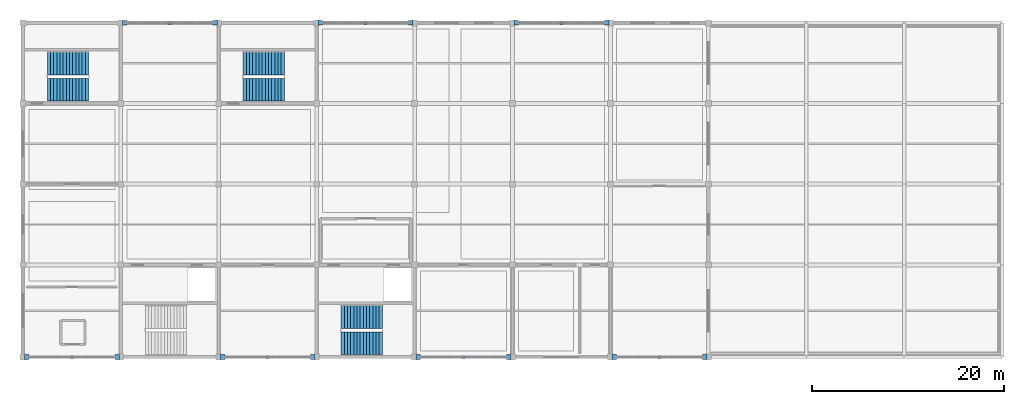
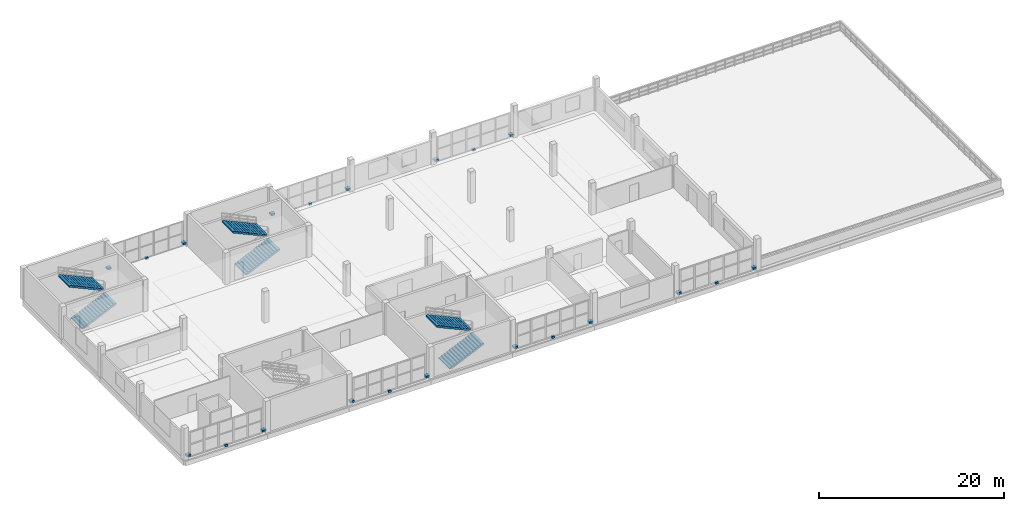
# One storey, part 22 of 24: 21 discrete accessories, 6 stair flights, 3 elements without a shape of their own.
"""IFC4 building model written with IfcOpenShell, lengths in metres."""

from ifc_helpers import new_model, si_unit, direction, frame, origin, origin_2d, place, context, subcontext, project, spatial, polyline, rectangle, outline, extrude, material, type_object, element, aggregate, save


model = new_model("IFC4")

# Units and contexts
model_context = context("Model", 3, precision=1e-05, world=origin(), true_north=direction((0.0, 1.0)))
body_context = subcontext(model_context, "Body", "Model", "MODEL_VIEW")
ifc_project = project(units=[si_unit("LENGTHUNIT", "METRE"), si_unit("AREAUNIT", "SQUARE_METRE"), si_unit("VOLUMEUNIT", "CUBIC_METRE"), si_unit("PLANEANGLEUNIT", "RADIAN"), si_unit("MASSUNIT", "GRAM", prefix="KILO")], contexts=[model_context])

# Site, building, storey
site_placement = place(None, origin())
site = spatial("IfcSite", under=ifc_project, at=site_placement, CompositionType="ELEMENT")
building_placement = place(site_placement, origin())
building = spatial("IfcBuilding", under=site, at=building_placement, Name="Brelvane Convention Centre", CompositionType="ELEMENT")
storey_placement = place(building_placement, frame((0.0, 0.0, 19.199951171875)))
storey = spatial("IfcBuildingStorey", under=building, at=storey_placement, Name="L04", CompositionType="ELEMENT", Elevation=19.199951171875)

# Stair, stair flights
ifc_material_1 = material(Name="Concrete M40", Category="concrete")
stair_type = type_object("IfcStairType", Name="Exit Stair ST-CORE", PredefinedType="HALF_TURN_STAIR", material=ifc_material_1)
stair_1_placement = place(storey_placement, origin())
stair_1 = element("IfcStair", 1, at=stair_1_placement, inside=storey, type_object=stair_type, Name="Exit Stair ST-07 (L04 to L05)", PredefinedType="HALF_TURN_STAIR")
ifc_material_2 = material(Name="Concrete M40", Category="concrete")
stair_flight_type = type_object("IfcStairFlightType", Name="Stair Flight SF-C14", PredefinedType="STRAIGHT", material=ifc_material_2)
stair_flight_1_placement = place(storey_placement, frame((33.14990234375, 110.6298828125, 0.0), z_axis=(0.0, 0.0, 1.0), x_axis=(1.0, 0.0, 0.0)))
stair_flight_1 = element("IfcStairFlight", 2, at=stair_flight_1_placement, type_object=stair_flight_type, Name="Stair ST-07 L04 Flight 1", NumberOfRisers=14, NumberOfTreads=13, PredefinedType="STRAIGHT", RiserHeight=0.15, TreadLength=0.33, context=body_context, shape_type="SweptSolid", body=[
    extrude(outline(polyline([(0.0, 0.0), (0.0, 0.14990234375), (0.330078125, 0.14990234375), (0.330078125, 0.300048828125), (0.659912109375, 0.300048828125), (0.659912109375, 0.449951171875), (0.989990234375, 0.449951171875), (0.989990234375, 0.60009765625), (1.320068359375, 0.60009765625), (1.320068359375, 0.75), (1.64990234375, 0.75), (1.64990234375, 0.89990234375), (1.97998046875, 0.89990234375), (1.97998046875, 1.050048828125), (2.31005859375, 1.050048828125), (2.31005859375, 1.199951171875), (2.639892578125, 1.199951171875), (2.639892578125, 1.35009765625), (2.969970703125, 1.35009765625), (2.969970703125, 1.5), (3.300048828125, 1.5), (3.300048828125, 1.64990234375), (3.6298828125, 1.64990234375), (3.6298828125, 1.800048828125), (3.9599609375, 1.800048828125), (3.9599609375, 1.949951171875), (4.2900390625, 1.949951171875), (4.2900390625, 2.10009765625), (4.2900390625, 1.75244140625), (0.434814453125, 0.0), (0.0, 0.0)])), frame((0.0, 1.18994140625, 0.0), z_axis=(0.0, -1.0, 0.0), x_axis=(1.0, 0.0, 0.0)), (0.0, 0.0, 1.0), 2.3798828125),
])
stair_flight_2_placement = place(storey_placement, frame((37.43994140625, 113.3701171875, 2.10009765625), z_axis=(0.0, 0.0, 1.0), x_axis=(-1.0, 0.0, 0.0)))
stair_flight_2 = element("IfcStairFlight", 3, at=stair_flight_2_placement, type_object=stair_flight_type, Name="Stair ST-07 L04 Flight 2", NumberOfRisers=14, NumberOfTreads=13, PredefinedType="STRAIGHT", RiserHeight=0.15, TreadLength=0.33, context=body_context, shape_type="SweptSolid", body=[
    extrude(outline(polyline([(0.0, 0.0), (0.0, 0.14990234375), (0.330078125, 0.14990234375), (0.330078125, 0.300048828125), (0.659912109375, 0.300048828125), (0.659912109375, 0.449951171875), (0.989990234375, 0.449951171875), (0.989990234375, 0.60009765625), (1.320068359375, 0.60009765625), (1.320068359375, 0.75), (1.64990234375, 0.75), (1.64990234375, 0.89990234375), (1.97998046875, 0.89990234375), (1.97998046875, 1.050048828125), (2.31005859375, 1.050048828125), (2.31005859375, 1.199951171875), (2.639892578125, 1.199951171875), (2.639892578125, 1.35009765625), (2.969970703125, 1.35009765625), (2.969970703125, 1.5), (3.300048828125, 1.5), (3.300048828125, 1.64990234375), (3.6298828125, 1.64990234375), (3.6298828125, 1.800048828125), (3.9599609375, 1.800048828125), (3.9599609375, 1.949951171875), (4.2900390625, 1.949951171875), (4.2900390625, 2.10009765625), (4.2900390625, 1.75244140625), (0.434814453125, 0.0), (0.0, 0.0)])), frame((0.0, 1.18994140625, 0.0), z_axis=(0.0, -1.0, 0.0), x_axis=(1.0, 0.0, 0.0)), (0.0, 0.0, 1.0), 2.3798828125),
])
aggregate(stair_1, [stair_flight_1, stair_flight_2])

stair_2_placement = place(storey_placement, origin())
stair_2 = element("IfcStair", 4, at=stair_2_placement, inside=storey, type_object=stair_type, Name="Exit Stair ST-13 (L04 to L05)", PredefinedType="HALF_TURN_STAIR")
stair_flight_3_placement = place(storey_placement, frame((22.949951171875, 137.030029296875, 0.0), z_axis=(0.0, 0.0, 1.0), x_axis=(1.0, 0.0, 0.0)))
stair_flight_3 = element("IfcStairFlight", 5, at=stair_flight_3_placement, type_object=stair_flight_type, Name="Stair ST-13 L04 Flight 1", NumberOfRisers=14, NumberOfTreads=13, PredefinedType="STRAIGHT", RiserHeight=0.15, TreadLength=0.33, context=body_context, shape_type="SweptSolid", body=[
    extrude(outline(polyline([(0.0, 0.0), (0.0, 0.14990234375), (0.330078125, 0.14990234375), (0.330078125, 0.300048828125), (0.659912109375, 0.300048828125), (0.659912109375, 0.449951171875), (0.989990234375, 0.449951171875), (0.989990234375, 0.60009765625), (1.320068359375, 0.60009765625), (1.320068359375, 0.75), (1.64990234375, 0.75), (1.64990234375, 0.89990234375), (1.97998046875, 0.89990234375), (1.97998046875, 1.050048828125), (2.31005859375, 1.050048828125), (2.31005859375, 1.199951171875), (2.639892578125, 1.199951171875), (2.639892578125, 1.35009765625), (2.969970703125, 1.35009765625), (2.969970703125, 1.5), (3.300048828125, 1.5), (3.300048828125, 1.64990234375), (3.6298828125, 1.64990234375), (3.6298828125, 1.800048828125), (3.9599609375, 1.800048828125), (3.9599609375, 1.949951171875), (4.2900390625, 1.949951171875), (4.2900390625, 2.10009765625), (4.2900390625, 1.75244140625), (0.434814453125, 0.0), (0.0, 0.0)])), frame((0.0, 1.18994140625, 0.0), z_axis=(0.0, -1.0, 0.0), x_axis=(1.0, 0.0, 0.0)), (0.0, 0.0, 1.0), 2.3798828125),
])
stair_flight_4_placement = place(storey_placement, frame((27.239990234375, 139.77001953125, 2.10009765625), z_axis=(0.0, 0.0, 1.0), x_axis=(-1.0, 0.0, 0.0)))
stair_flight_4 = element("IfcStairFlight", 6, at=stair_flight_4_placement, type_object=stair_flight_type, Name="Stair ST-13 L04 Flight 2", NumberOfRisers=14, NumberOfTreads=13, PredefinedType="STRAIGHT", RiserHeight=0.15, TreadLength=0.33, context=body_context, shape_type="SweptSolid", body=[
    extrude(outline(polyline([(0.0, 0.0), (0.0, 0.14990234375), (0.330078125, 0.14990234375), (0.330078125, 0.300048828125), (0.659912109375, 0.300048828125), (0.659912109375, 0.449951171875), (0.989990234375, 0.449951171875), (0.989990234375, 0.60009765625), (1.320068359375, 0.60009765625), (1.320068359375, 0.75), (1.64990234375, 0.75), (1.64990234375, 0.89990234375), (1.97998046875, 0.89990234375), (1.97998046875, 1.050048828125), (2.31005859375, 1.050048828125), (2.31005859375, 1.199951171875), (2.639892578125, 1.199951171875), (2.639892578125, 1.35009765625), (2.969970703125, 1.35009765625), (2.969970703125, 1.5), (3.300048828125, 1.5), (3.300048828125, 1.64990234375), (3.6298828125, 1.64990234375), (3.6298828125, 1.800048828125), (3.9599609375, 1.800048828125), (3.9599609375, 1.949951171875), (4.2900390625, 1.949951171875), (4.2900390625, 2.10009765625), (4.2900390625, 1.75244140625), (0.434814453125, 0.0), (0.0, 0.0)])), frame((0.0, 1.18994140625, 0.0), z_axis=(0.0, -1.0, 0.0), x_axis=(1.0, 0.0, 0.0)), (0.0, 0.0, 1.0), 2.3798828125),
])
aggregate(stair_2, [stair_flight_3, stair_flight_4])

stair_3_placement = place(storey_placement, origin())
stair_3 = element("IfcStair", 7, at=stair_3_placement, inside=storey, type_object=stair_type, Name="Exit Stair ST-17 (L04 to L05)", PredefinedType="HALF_TURN_STAIR")
stair_flight_5_placement = place(storey_placement, frame((2.550048828125, 137.030029296875, 0.0), z_axis=(0.0, 0.0, 1.0), x_axis=(1.0, 0.0, 0.0)))
stair_flight_5 = element("IfcStairFlight", 8, at=stair_flight_5_placement, type_object=stair_flight_type, Name="Stair ST-17 L04 Flight 1", NumberOfRisers=14, NumberOfTreads=13, PredefinedType="STRAIGHT", RiserHeight=0.15, TreadLength=0.33, context=body_context, shape_type="SweptSolid", body=[
    extrude(outline(polyline([(0.0, 0.0), (0.0, 0.14990234375), (0.330078125, 0.14990234375), (0.330078125, 0.300048828125), (0.659912109375, 0.300048828125), (0.659912109375, 0.449951171875), (0.989990234375, 0.449951171875), (0.989990234375, 0.60009765625), (1.320068359375, 0.60009765625), (1.320068359375, 0.75), (1.64990234375, 0.75), (1.64990234375, 0.89990234375), (1.97998046875, 0.89990234375), (1.97998046875, 1.050048828125), (2.31005859375, 1.050048828125), (2.31005859375, 1.199951171875), (2.639892578125, 1.199951171875), (2.639892578125, 1.35009765625), (2.969970703125, 1.35009765625), (2.969970703125, 1.5), (3.300048828125, 1.5), (3.300048828125, 1.64990234375), (3.6298828125, 1.64990234375), (3.6298828125, 1.800048828125), (3.9599609375, 1.800048828125), (3.9599609375, 1.949951171875), (4.2900390625, 1.949951171875), (4.2900390625, 2.10009765625), (4.2900390625, 1.75244140625), (0.434814453125, 0.0), (0.0, 0.0)])), frame((0.0, 1.18994140625, 0.0), z_axis=(0.0, -1.0, 0.0), x_axis=(1.0, 0.0, 0.0)), (0.0, 0.0, 1.0), 2.3798828125),
])
stair_flight_6_placement = place(storey_placement, frame((6.840087890625, 139.77001953125, 2.10009765625), z_axis=(0.0, 0.0, 1.0), x_axis=(-1.0, 0.0, 0.0)))
stair_flight_6 = element("IfcStairFlight", 9, at=stair_flight_6_placement, type_object=stair_flight_type, Name="Stair ST-17 L04 Flight 2", NumberOfRisers=14, NumberOfTreads=13, PredefinedType="STRAIGHT", RiserHeight=0.15, TreadLength=0.33, context=body_context, shape_type="SweptSolid", body=[
    extrude(outline(polyline([(0.0, 0.0), (0.0, 0.14990234375), (0.330078125, 0.14990234375), (0.330078125, 0.300048828125), (0.659912109375, 0.300048828125), (0.659912109375, 0.449951171875), (0.989990234375, 0.449951171875), (0.989990234375, 0.60009765625), (1.320068359375, 0.60009765625), (1.320068359375, 0.75), (1.64990234375, 0.75), (1.64990234375, 0.89990234375), (1.97998046875, 0.89990234375), (1.97998046875, 1.050048828125), (2.31005859375, 1.050048828125), (2.31005859375, 1.199951171875), (2.639892578125, 1.199951171875), (2.639892578125, 1.35009765625), (2.969970703125, 1.35009765625), (2.969970703125, 1.5), (3.300048828125, 1.5), (3.300048828125, 1.64990234375), (3.6298828125, 1.64990234375), (3.6298828125, 1.800048828125), (3.9599609375, 1.800048828125), (3.9599609375, 1.949951171875), (4.2900390625, 1.949951171875), (4.2900390625, 2.10009765625), (4.2900390625, 1.75244140625), (0.434814453125, 0.0), (0.0, 0.0)])), frame((0.0, 1.18994140625, 0.0), z_axis=(0.0, -1.0, 0.0), x_axis=(1.0, 0.0, 0.0)), (0.0, 0.0, 1.0), 2.3798828125),
])
aggregate(stair_3, [stair_flight_5, stair_flight_6])

# Discrete accessories
ifc_material_3 = material(Name="Steel E350 (350 MPa)", Category="steel")
discrete_accessory_type = type_object("IfcDiscreteAccessoryType", Name="Facade Outrigger Bracket BRK-02", PredefinedType="BRACKET", material=ifc_material_3)
for number, where, z_axis, x_axis, name in (
    (10, (0.389892578125, 109.199951171875, 0.22998046875), (0.0, 0.0, 1.0), (1.0, 0.0, 0.0), "Curtain Wall Anchor Bracket L04-V4S-01-L"),
    (11, (9.81005859375, 109.199951171875, 0.22998046875), (0.0, 0.0, 1.0), (1.0, 0.0, 0.0), "Curtain Wall Anchor Bracket L04-V4S-01-R"),
):
    element("IfcDiscreteAccessory", number, at=place(storey_placement, frame(where, z_axis=z_axis, x_axis=x_axis)), inside=storey, type_object=discrete_accessory_type, Name=name, PredefinedType="BRACKET", context=body_context, shape_type="SweptSolid", body=[
        extrude(rectangle(XDim=0.47998046875, YDim=0.47998046875, at=origin_2d()), origin(), (0.0, 0.0, 1.0), 0.239990234375),
    ])
discrete_accessory_1_placement = place(storey_placement, frame((5.10009765625, 109.199951171875, -0.14013671875), z_axis=(0.0, 0.0, 1.0), x_axis=(1.0, 0.0, 0.0)))
element("IfcDiscreteAccessory", 12, at=discrete_accessory_1_placement, inside=storey, type_object=discrete_accessory_type, Name="Curtain Wall Anchor Bracket L04-V4S-01-B", PredefinedType="BRACKET", context=body_context, shape_type="SweptSolid", body=[
    extrude(rectangle(XDim=0.320068359375, YDim=0.320068359375, at=origin_2d()), origin(), (0.0, 0.0, 1.0), 0.280029296875),
])
for number, where, z_axis, x_axis, name in (
    (13, (10.590087890625, 144.0, 0.22998046875), (0.0, 0.0, 1.0), (1.0, 0.0, 0.0), "Curtain Wall Anchor Bracket L04-V4N-02-L"),
    (14, (20.010009765625, 144.0, 0.22998046875), (0.0, 0.0, 1.0), (1.0, 0.0, 0.0), "Curtain Wall Anchor Bracket L04-V4N-02-R"),
):
    element("IfcDiscreteAccessory", number, at=place(storey_placement, frame(where, z_axis=z_axis, x_axis=x_axis)), inside=storey, type_object=discrete_accessory_type, Name=name, PredefinedType="BRACKET", context=body_context, shape_type="SweptSolid", body=[
        extrude(rectangle(XDim=0.47998046875, YDim=0.47998046875, at=origin_2d()), origin(), (0.0, 0.0, 1.0), 0.239990234375),
    ])
discrete_accessory_2_placement = place(storey_placement, frame((15.300048828125, 144.0, -0.14013671875), z_axis=(0.0, 0.0, 1.0), x_axis=(1.0, 0.0, 0.0)))
element("IfcDiscreteAccessory", 15, at=discrete_accessory_2_placement, inside=storey, type_object=discrete_accessory_type, Name="Curtain Wall Anchor Bracket L04-V4N-02-B", PredefinedType="BRACKET", context=body_context, shape_type="SweptSolid", body=[
    extrude(rectangle(XDim=0.320068359375, YDim=0.320068359375, at=origin_2d()), origin(), (0.0, 0.0, 1.0), 0.280029296875),
])
for number, where, z_axis, x_axis, name in (
    (16, (20.7900390625, 109.199951171875, 0.22998046875), (0.0, 0.0, 1.0), (1.0, 0.0, 0.0), "Curtain Wall Anchor Bracket L04-V4S-03-L"),
    (17, (30.2099609375, 109.199951171875, 0.22998046875), (0.0, 0.0, 1.0), (1.0, 0.0, 0.0), "Curtain Wall Anchor Bracket L04-V4S-03-R"),
):
    element("IfcDiscreteAccessory", number, at=place(storey_placement, frame(where, z_axis=z_axis, x_axis=x_axis)), inside=storey, type_object=discrete_accessory_type, Name=name, PredefinedType="BRACKET", context=body_context, shape_type="SweptSolid", body=[
        extrude(rectangle(XDim=0.47998046875, YDim=0.47998046875, at=origin_2d()), origin(), (0.0, 0.0, 1.0), 0.239990234375),
    ])
discrete_accessory_3_placement = place(storey_placement, frame((25.5, 109.199951171875, -0.14013671875), z_axis=(0.0, 0.0, 1.0), x_axis=(1.0, 0.0, 0.0)))
element("IfcDiscreteAccessory", 18, at=discrete_accessory_3_placement, inside=storey, type_object=discrete_accessory_type, Name="Curtain Wall Anchor Bracket L04-V4S-03-B", PredefinedType="BRACKET", context=body_context, shape_type="SweptSolid", body=[
    extrude(rectangle(XDim=0.320068359375, YDim=0.320068359375, at=origin_2d()), origin(), (0.0, 0.0, 1.0), 0.280029296875),
])
for number, where, z_axis, x_axis, name in (
    (19, (30.989990234375, 144.0, 0.22998046875), (0.0, 0.0, 1.0), (1.0, 0.0, 0.0), "Curtain Wall Anchor Bracket L04-V4N-04-L"),
    (20, (40.409912109375, 144.0, 0.22998046875), (0.0, 0.0, 1.0), (1.0, 0.0, 0.0), "Curtain Wall Anchor Bracket L04-V4N-04-R"),
):
    element("IfcDiscreteAccessory", number, at=place(storey_placement, frame(where, z_axis=z_axis, x_axis=x_axis)), inside=storey, type_object=discrete_accessory_type, Name=name, PredefinedType="BRACKET", context=body_context, shape_type="SweptSolid", body=[
        extrude(rectangle(XDim=0.47998046875, YDim=0.47998046875, at=origin_2d()), origin(), (0.0, 0.0, 1.0), 0.239990234375),
    ])
discrete_accessory_4_placement = place(storey_placement, frame((35.699951171875, 144.0, -0.14013671875), z_axis=(0.0, 0.0, 1.0), x_axis=(1.0, 0.0, 0.0)))
element("IfcDiscreteAccessory", 21, at=discrete_accessory_4_placement, inside=storey, type_object=discrete_accessory_type, Name="Curtain Wall Anchor Bracket L04-V4N-04-B", PredefinedType="BRACKET", context=body_context, shape_type="SweptSolid", body=[
    extrude(rectangle(XDim=0.320068359375, YDim=0.320068359375, at=origin_2d()), origin(), (0.0, 0.0, 1.0), 0.280029296875),
])
for number, where, z_axis, x_axis, name in (
    (22, (41.18994140625, 109.199951171875, 0.22998046875), (0.0, 0.0, 1.0), (1.0, 0.0, 0.0), "Curtain Wall Anchor Bracket L04-V4S-05-L"),
    (23, (50.610107421875, 109.199951171875, 0.22998046875), (0.0, 0.0, 1.0), (1.0, 0.0, 0.0), "Curtain Wall Anchor Bracket L04-V4S-05-R"),
):
    element("IfcDiscreteAccessory", number, at=place(storey_placement, frame(where, z_axis=z_axis, x_axis=x_axis)), inside=storey, type_object=discrete_accessory_type, Name=name, PredefinedType="BRACKET", context=body_context, shape_type="SweptSolid", body=[
        extrude(rectangle(XDim=0.47998046875, YDim=0.47998046875, at=origin_2d()), origin(), (0.0, 0.0, 1.0), 0.239990234375),
    ])
discrete_accessory_5_placement = place(storey_placement, frame((45.89990234375, 109.199951171875, -0.14013671875), z_axis=(0.0, 0.0, 1.0), x_axis=(1.0, 0.0, 0.0)))
element("IfcDiscreteAccessory", 24, at=discrete_accessory_5_placement, inside=storey, type_object=discrete_accessory_type, Name="Curtain Wall Anchor Bracket L04-V4S-05-B", PredefinedType="BRACKET", context=body_context, shape_type="SweptSolid", body=[
    extrude(rectangle(XDim=0.320068359375, YDim=0.320068359375, at=origin_2d()), origin(), (0.0, 0.0, 1.0), 0.280029296875),
])
for number, where, z_axis, x_axis, name in (
    (25, (51.389892578125, 144.0, 0.22998046875), (0.0, 0.0, 1.0), (1.0, 0.0, 0.0), "Curtain Wall Anchor Bracket L04-V4N-06-L"),
    (26, (60.81005859375, 144.0, 0.22998046875), (0.0, 0.0, 1.0), (1.0, 0.0, 0.0), "Curtain Wall Anchor Bracket L04-V4N-06-R"),
):
    element("IfcDiscreteAccessory", number, at=place(storey_placement, frame(where, z_axis=z_axis, x_axis=x_axis)), inside=storey, type_object=discrete_accessory_type, Name=name, PredefinedType="BRACKET", context=body_context, shape_type="SweptSolid", body=[
        extrude(rectangle(XDim=0.47998046875, YDim=0.47998046875, at=origin_2d()), origin(), (0.0, 0.0, 1.0), 0.239990234375),
    ])
discrete_accessory_6_placement = place(storey_placement, frame((56.10009765625, 144.0, -0.14013671875), z_axis=(0.0, 0.0, 1.0), x_axis=(1.0, 0.0, 0.0)))
element("IfcDiscreteAccessory", 27, at=discrete_accessory_6_placement, inside=storey, type_object=discrete_accessory_type, Name="Curtain Wall Anchor Bracket L04-V4N-06-B", PredefinedType="BRACKET", context=body_context, shape_type="SweptSolid", body=[
    extrude(rectangle(XDim=0.320068359375, YDim=0.320068359375, at=origin_2d()), origin(), (0.0, 0.0, 1.0), 0.280029296875),
])
for number, where, z_axis, x_axis, name in (
    (28, (61.590087890625, 109.199951171875, 0.22998046875), (0.0, 0.0, 1.0), (1.0, 0.0, 0.0), "Curtain Wall Anchor Bracket L04-V4S-07-L"),
    (29, (71.010009765625, 109.199951171875, 0.22998046875), (0.0, 0.0, 1.0), (1.0, 0.0, 0.0), "Curtain Wall Anchor Bracket L04-V4S-07-R"),
):
    element("IfcDiscreteAccessory", number, at=place(storey_placement, frame(where, z_axis=z_axis, x_axis=x_axis)), inside=storey, type_object=discrete_accessory_type, Name=name, PredefinedType="BRACKET", context=body_context, shape_type="SweptSolid", body=[
        extrude(rectangle(XDim=0.47998046875, YDim=0.47998046875, at=origin_2d()), origin(), (0.0, 0.0, 1.0), 0.239990234375),
    ])
discrete_accessory_7_placement = place(storey_placement, frame((66.300048828125, 109.199951171875, -0.14013671875), z_axis=(0.0, 0.0, 1.0), x_axis=(1.0, 0.0, 0.0)))
element("IfcDiscreteAccessory", 30, at=discrete_accessory_7_placement, inside=storey, type_object=discrete_accessory_type, Name="Curtain Wall Anchor Bracket L04-V4S-07-B", PredefinedType="BRACKET", context=body_context, shape_type="SweptSolid", body=[
    extrude(rectangle(XDim=0.320068359375, YDim=0.320068359375, at=origin_2d()), origin(), (0.0, 0.0, 1.0), 0.280029296875),
])

save(model, "model.ifc")
